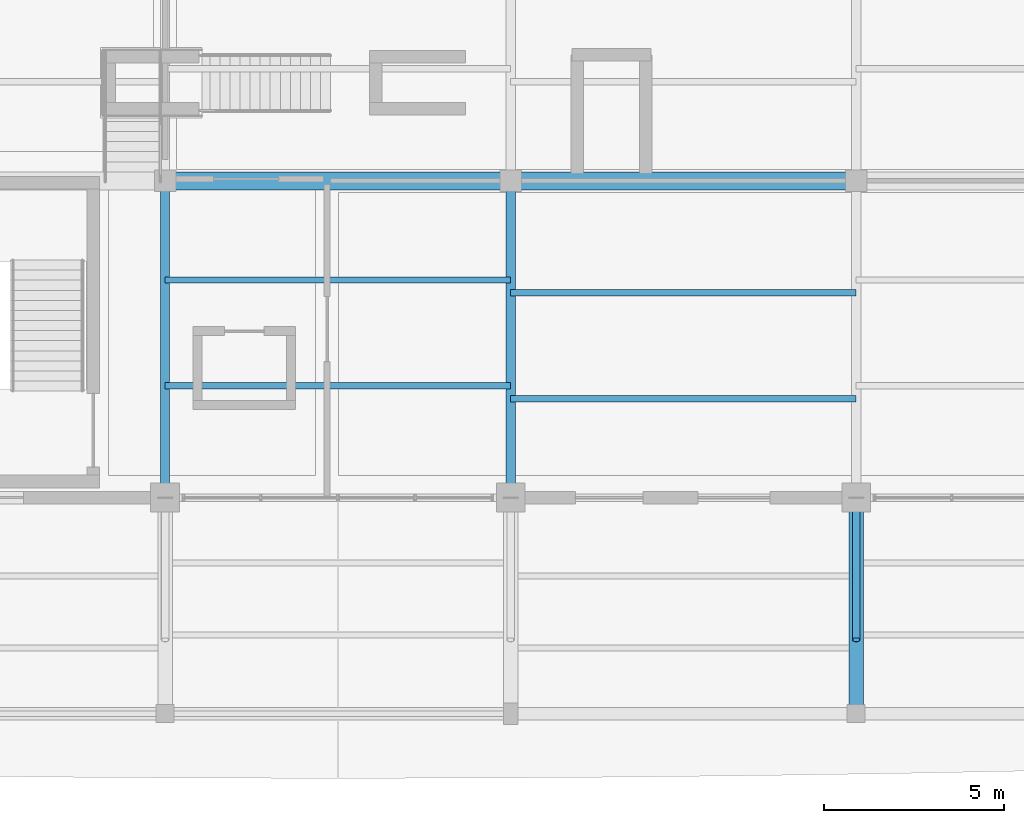
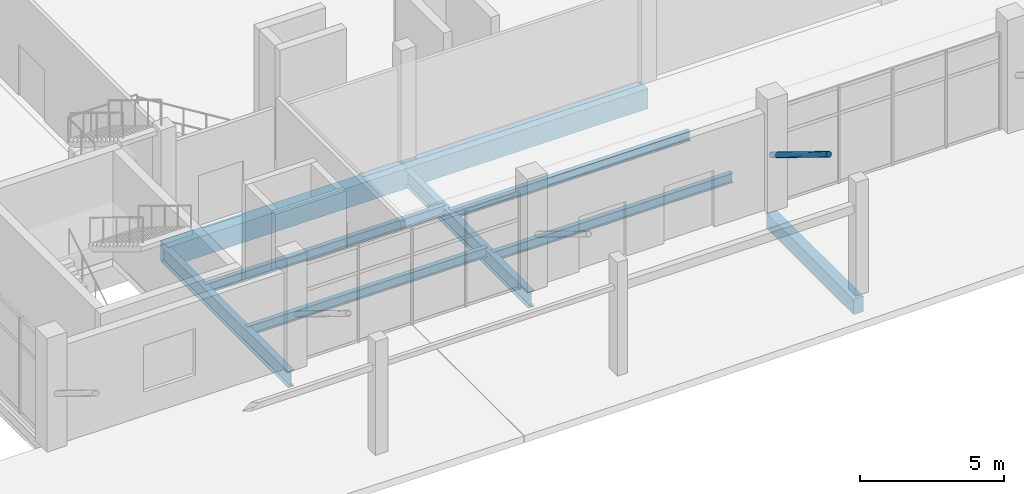
# One storey, part 39 of 116: 9 beams, 1 member.
"""IFC4 building model written with IfcOpenShell, lengths in metres."""

from ifc_helpers import new_model, si_unit, direction, frame, origin, origin_2d, place, context, subcontext, project, spatial, rectangle, hollow_circle, i_section, extrude, material, material_profile, profile_set, type_object, element, save


model = new_model("IFC4")

# Units and contexts
model_context = context("Model", 3, precision=1e-05, world=origin(), true_north=direction((0.0, 1.0)))
body_context = subcontext(model_context, "Body", "Model", "MODEL_VIEW")
ifc_project = project(units=[si_unit("LENGTHUNIT", "METRE"), si_unit("AREAUNIT", "SQUARE_METRE"), si_unit("VOLUMEUNIT", "CUBIC_METRE"), si_unit("PLANEANGLEUNIT", "RADIAN"), si_unit("MASSUNIT", "GRAM", prefix="KILO")], contexts=[model_context])

# Site, building, storey
site_placement = place(None, origin())
site = spatial("IfcSite", under=ifc_project, at=site_placement, CompositionType="ELEMENT")
building_placement = place(site_placement, origin())
building = spatial("IfcBuilding", under=site, at=building_placement, Name="Chalmorin Arch Market", CompositionType="ELEMENT")
storey_placement = place(building_placement, origin())
storey = spatial("IfcBuildingStorey", under=building, at=storey_placement, Name="L00", CompositionType="ELEMENT", Elevation=0.0)

# Member
ifc_material_1 = material(Name="Steel A500 Grade C", Category="steel")
ifc_material_profile_1 = material_profile(ifc_material_1, hollow_circle(Radius=0.109619140625, WallThickness=0.00830078125, at=origin_2d()), Name="CHS219X8")
ifc_profile_set_1 = profile_set([ifc_material_profile_1], Name="Steel A500 Grade C")
member_type = type_object("IfcMemberType", Name="CanopyRakingStrut-CHS219", PredefinedType="STRUT", material=ifc_profile_set_1)
member_placement = place(storey_placement, frame((76.800048828125, 6.0, 2.10009765625), z_axis=(0.0, -0.852698951307, 0.522402621012), x_axis=(1.0, 0.0, 0.0)))
element("IfcMember", 1, at=member_placement, inside=storey, type_object=member_type, Name="ST-CH219-0009", PredefinedType="STRUT", context=body_context, shape_type="SweptSolid", body=[
    extrude(hollow_circle(Radius=0.109619140625, WallThickness=0.00830078125, at=origin_2d()), origin(), (0.0, 0.0, 1.0), 4.63232421875),
])

# Beams
ifc_material_2 = material(Name="Concrete C40/50", Category="concrete")
ifc_material_profile_2 = material_profile(ifc_material_2, rectangle(XDim=0.39990234375, YDim=0.64990234375, at=origin_2d()), Name="RC400X650")
ifc_profile_set_2 = profile_set([ifc_material_profile_2], Name="Concrete C40/50")
beam_type_1 = type_object("IfcBeamType", Name="MezzanineConcreteBeam-400x650", PredefinedType="BEAM", material=ifc_profile_set_2)
beam_1_placement = place(storey_placement, frame((76.800048828125, 0.0, -0.626953125), z_axis=(0.0, 1.0, 0.0), x_axis=(-1.0, 0.0, 0.0)))
element("IfcBeam", 2, at=beam_1_placement, inside=storey, type_object=beam_type_1, Name="BM-RC3-0563", PredefinedType="BEAM", context=body_context, shape_type="SweptSolid", body=[
    extrude(rectangle(XDim=0.39990234375, YDim=0.64990234375, at=origin_2d()), origin(), (0.0, 0.0, 1.0), 6.0),
])
ifc_material_profile_3 = material_profile(ifc_material_2, rectangle(XDim=0.5, YDim=0.85009765625, at=origin_2d()), Name="RC500X850")
ifc_profile_set_3 = profile_set([ifc_material_profile_3], Name="Concrete C40/50")
beam_type_2 = type_object("IfcBeamType", Name="PlinthConcreteGirder-500x850", PredefinedType="BEAM", material=ifc_profile_set_3)
beam_2_placement = place(storey_placement, frame((57.60009765625, 14.800048828125, -0.70703125), z_axis=(1.0, 0.0, 0.0), x_axis=(0.0, 1.0, 0.0)))
element("IfcBeam", 3, at=beam_2_placement, inside=storey, type_object=beam_type_2, Name="BG-RC1-0021", PredefinedType="BEAM", context=body_context, shape_type="SweptSolid", body=[
    extrude(rectangle(XDim=0.5, YDim=0.85009765625, at=origin_2d()), origin(), (0.0, 0.0, 1.0), 9.599853515625),
])
beam_3_placement = place(storey_placement, frame((67.199951171875, 14.800048828125, -0.70703125), z_axis=(1.0, 0.0, 0.0), x_axis=(0.0, 1.0, 0.0)))
element("IfcBeam", 4, at=beam_3_placement, inside=storey, type_object=beam_type_2, Name="BG-RC1-0034", PredefinedType="BEAM", context=body_context, shape_type="SweptSolid", body=[
    extrude(rectangle(XDim=0.5, YDim=0.85009765625, at=origin_2d()), origin(), (0.0, 0.0, 1.0), 9.60009765625),
])
ifc_material_3 = material(Name="Steel A992 Grade 50", Category="steel")
ifc_material_profile_4 = material_profile(ifc_material_3, i_section(OverallWidth=0.25390625, OverallDepth=0.68408203125, WebThickness=0.012451171875, FlangeThickness=0.018798828125, FilletRadius=0.02587890625, at=origin_2d()), Name="W27X94")
ifc_profile_set_4 = profile_set([ifc_material_profile_4], Name="Steel A992 Grade 50")
beam_type_3 = type_object("IfcBeamType", Name="PrimarySteelGirder-W27X94", PredefinedType="BEAM", material=ifc_profile_set_4)
for number, where, z_axis, x_axis, name in (
    (5, (57.60009765625, 6.0, -0.64404296875), (0.0, 1.0, 0.0), (-1.0, 0.0, 0.0), "BG-W27-0004"),
    (6, (67.199951171875, 6.0, -0.64404296875), (0.0, 1.0, 0.0), (-1.0, 0.0, 0.0), "BG-W27-0022"),
):
    element("IfcBeam", number, at=place(storey_placement, frame(where, z_axis=z_axis, x_axis=x_axis)), inside=storey, type_object=beam_type_3, Name=name, PredefinedType="BEAM", context=body_context, shape_type="SweptSolid", body=[
        extrude(i_section(OverallWidth=0.25390625, OverallDepth=0.68408203125, WebThickness=0.012451171875, FlangeThickness=0.018798828125, FilletRadius=0.02587890625, at=origin_2d()), origin(), (0.0, 0.0, 1.0), 8.800048828125),
    ])
ifc_material_profile_5 = material_profile(ifc_material_3, i_section(OverallWidth=0.178955078125, OverallDepth=0.409912109375, WebThickness=0.0087890625, FlangeThickness=0.014404296875, FilletRadius=0.01806640625, at=origin_2d()), Name="W16X45")
ifc_profile_set_5 = profile_set([ifc_material_profile_5], Name="Steel A992 Grade 50")
beam_type_4 = type_object("IfcBeamType", Name="SecondaryFloorJoist-W16X45", PredefinedType="JOIST", material=ifc_profile_set_5)
for number, where, z_axis, x_axis, name in (
    (7, (57.60009765625, 9.11328125, -0.487060546875), (1.0, 0.0, 0.0), (0.0, 1.0, 0.0), "BJ-W16A-0121"),
    (8, (57.60009765625, 12.046630859375, -0.487060546875), (1.0, 0.0, 0.0), (0.0, 1.0, 0.0), "BJ-W16A-0122"),
):
    element("IfcBeam", number, at=place(storey_placement, frame(where, z_axis=z_axis, x_axis=x_axis)), inside=storey, type_object=beam_type_4, Name=name, PredefinedType="JOIST", context=body_context, shape_type="SweptSolid", body=[
        extrude(i_section(OverallWidth=0.178955078125, OverallDepth=0.409912109375, WebThickness=0.0087890625, FlangeThickness=0.014404296875, FilletRadius=0.01806640625, at=origin_2d()), origin(), (0.0, 0.0, 1.0), 9.599853515625),
    ])
for number, where, z_axis, x_axis, name in (
    (9, (67.199951171875, 8.75341796875, -0.487060546875), (1.0, 0.0, 0.0), (0.0, 1.0, 0.0), "BJ-W16A-0133"),
    (10, (67.199951171875, 11.686767578125, -0.487060546875), (1.0, 0.0, 0.0), (0.0, 1.0, 0.0), "BJ-W16A-0134"),
):
    element("IfcBeam", number, at=place(storey_placement, frame(where, z_axis=z_axis, x_axis=x_axis)), inside=storey, type_object=beam_type_4, Name=name, PredefinedType="JOIST", context=body_context, shape_type="SweptSolid", body=[
        extrude(i_section(OverallWidth=0.178955078125, OverallDepth=0.409912109375, WebThickness=0.0087890625, FlangeThickness=0.014404296875, FilletRadius=0.01806640625, at=origin_2d()), origin(), (0.0, 0.0, 1.0), 9.60009765625),
    ])

save(model, "model.ifc")
